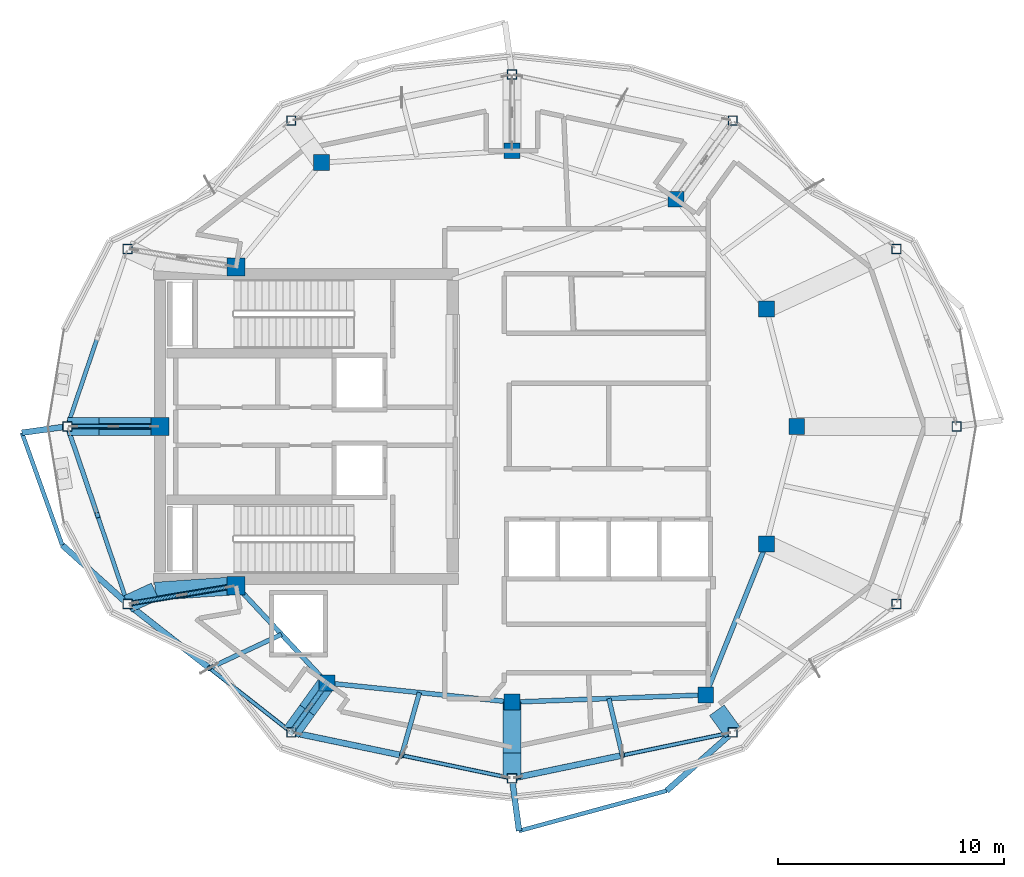
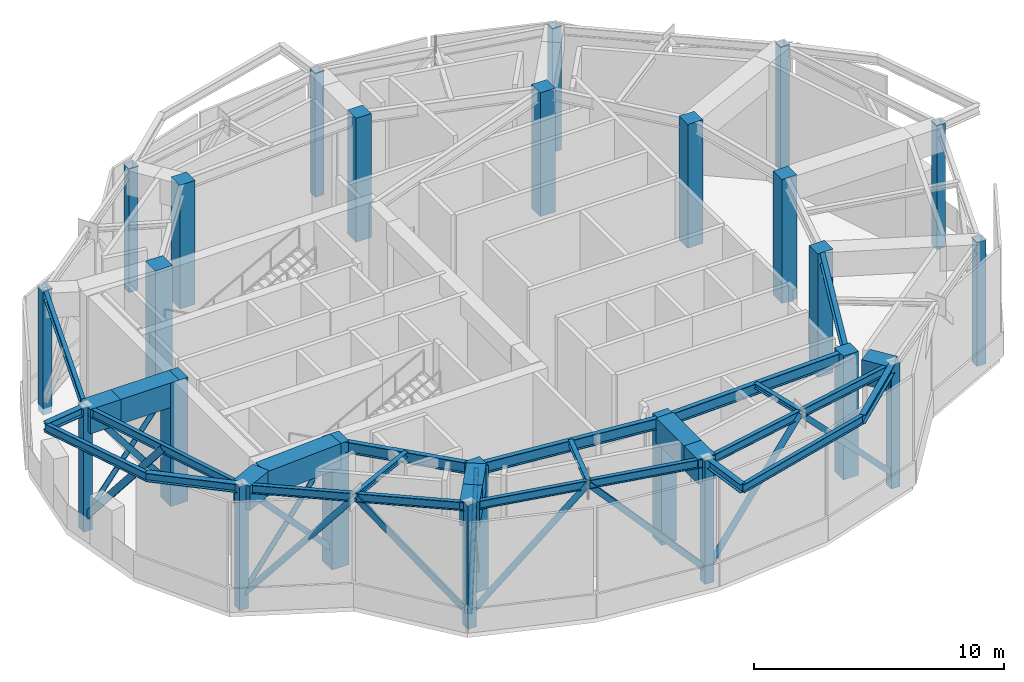
# One storey, part 1 of 9: 27 beams, 24 columns, 16 members.
"""IFC4 building model written with IfcOpenShell, lengths in metres."""

from ifc_helpers import new_model, si_unit, direction, frame, origin, origin_2d, place, context, subcontext, project, spatial, rectangle, hollow_rectangle, hollow_circle, i_section, extrude, material, material_profile, profile_set, type_object, element, save


model = new_model("IFC4")

# Units and contexts
model_context = context("Model", 3, precision=1e-05, world=origin(), true_north=direction((0.0, 1.0)))
body_context = subcontext(model_context, "Body", "Model", "MODEL_VIEW")
ifc_project = project(units=[si_unit("LENGTHUNIT", "METRE"), si_unit("AREAUNIT", "SQUARE_METRE"), si_unit("VOLUMEUNIT", "CUBIC_METRE"), si_unit("PLANEANGLEUNIT", "RADIAN"), si_unit("MASSUNIT", "GRAM", prefix="KILO")], contexts=[model_context])

# Site, building, storey
site_placement = place(None, origin())
site = spatial("IfcSite", under=ifc_project, at=site_placement, CompositionType="ELEMENT")
building_placement = place(site_placement, origin())
building = spatial("IfcBuilding", under=site, at=building_placement, Name="Kolvaren Gate Tower and Convention Centre", CompositionType="ELEMENT")
storey_placement = place(building_placement, frame((0.0, 0.0, 275.60009765625)))
storey = spatial("IfcBuildingStorey", under=building, at=storey_placement, Name="L75", CompositionType="ELEMENT", Elevation=275.60009765625)

# Columns
ifc_material_1 = material(Name="Structural steel ASTM A500 Grade C 345 MPa", Category="steel")
ifc_material_profile_1 = material_profile(ifc_material_1, hollow_rectangle(XDim=0.406005859375, YDim=0.406005859375, WallThickness=0.015869140625, at=origin_2d()), Name="HSS406X406X15.9")
ifc_profile_set_1 = profile_set([ifc_material_profile_1], Name="Structural steel ASTM A500 Grade C 345 MPa")
column_type_1 = type_object("IfcColumnType", Name="STR-COL-HSS406", PredefinedType="COLUMN", material=ifc_profile_set_1)
for number, where, z_axis, x_axis, name in (
    (1, (49.80615234375, 27.0, -0.320068359375), (0.0, 0.0, 1.0), (1.0, 0.0, 0.0), "Tower L75 Perimeter Supercolumn TP-01"),
    (2, (47.1337890625, 34.856201171875, -0.320068359375), (0.0, 0.0, 1.0), (1.0, 0.0, 0.0), "Tower L75 Perimeter Supercolumn TP-02"),
    (3, (39.893310546875, 40.53515625, -0.320068359375), (0.0, 0.0, 1.0), (1.0, 0.0, 0.0), "Tower L75 Perimeter Supercolumn TP-03"),
    (4, (30.125, 42.574951171875, -0.320068359375), (0.0, 0.0, 1.0), (1.0, 0.0, 0.0), "Tower L75 Perimeter Supercolumn TP-04"),
    (5, (20.356689453125, 40.53515625, -0.320068359375), (0.0, 0.0, 1.0), (1.0, 0.0, 0.0), "Tower L75 Perimeter Supercolumn TP-05"),
    (6, (13.1162109375, 34.856201171875, -0.320068359375), (0.0, 0.0, 1.0), (1.0, 0.0, 0.0), "Tower L75 Perimeter Supercolumn TP-06"),
    (7, (10.44384765625, 27.0, -0.320068359375), (0.0, 0.0, 1.0), (1.0, 0.0, 0.0), "Tower L75 Perimeter Supercolumn TP-07"),
    (8, (13.1162109375, 19.143798828125, -0.320068359375), (0.0, 0.0, 1.0), (1.0, 0.0, 0.0), "Tower L75 Perimeter Supercolumn TP-08"),
    (9, (20.356689453125, 13.46484375, -0.320068359375), (0.0, 0.0, 1.0), (1.0, 0.0, 0.0), "Tower L75 Perimeter Supercolumn TP-09"),
    (10, (30.125, 11.425048828125, -0.320068359375), (0.0, 0.0, 1.0), (1.0, 0.0, 0.0), "Tower L75 Perimeter Supercolumn TP-10"),
    (11, (39.893310546875, 13.46484375, -0.320068359375), (0.0, 0.0, 1.0), (1.0, 0.0, 0.0), "Tower L75 Perimeter Supercolumn TP-11"),
    (12, (47.1337890625, 19.143798828125, -0.320068359375), (0.0, 0.0, 1.0), (1.0, 0.0, 0.0), "Tower L75 Perimeter Supercolumn TP-12"),
):
    element("IfcColumn", number, at=place(storey_placement, frame(where, z_axis=z_axis, x_axis=x_axis)), inside=storey, type_object=column_type_1, Name=name, PredefinedType="COLUMN", context=body_context, shape_type="SweptSolid", body=[
        extrude(hollow_rectangle(XDim=0.406005859375, YDim=0.406005859375, WallThickness=0.015869140625, at=origin_2d()), origin(), (0.0, 0.0, 1.0), 6.0400390625),
    ])
ifc_material_2 = material(Name="Concrete C50/60", Category="concrete")
ifc_material_profile_2 = material_profile(ifc_material_2, rectangle(XDim=0.699951171875, YDim=0.699951171875, at=origin_2d()), Name="RC-COL-700X700")
ifc_profile_set_2 = profile_set([ifc_material_profile_2], Name="Concrete C50/60")
column_type_2 = type_object("IfcColumnType", Name="STR-COL-RC700", PredefinedType="COLUMN", material=ifc_profile_set_2)
for number, where, z_axis, x_axis, name in (
    (13, (42.72509765625, 27.0, -0.320068359375), (0.0, 0.0, 1.0), (1.0, 0.0, 0.0), "Tower L75 Interior Column TI-01"),
    (14, (41.382080078125, 32.199462890625, -0.320068359375), (0.0, 0.0, 1.0), (1.0, 0.0, 0.0), "Tower L75 Interior Column TI-02"),
    (15, (37.381591796875, 37.054931640625, -0.320068359375), (0.0, 0.0, 1.0), (1.0, 0.0, 0.0), "Tower L75 Interior Column TI-03"),
    (16, (30.125, 39.199951171875, -0.320068359375), (0.0, 0.0, 1.0), (1.0, 0.0, 0.0), "Tower L75 Interior Column TI-04"),
    (17, (21.697998046875, 38.6767578125, -0.320068359375), (0.0, 0.0, 1.0), (1.0, 0.0, 0.0), "Tower L75 Interior Column TI-05"),
    (18, (21.93212890625, 15.647705078125, -0.320068359375), (0.0, 0.0, 1.0), (1.0, 0.0, 0.0), "Tower L75 Interior Column TI-06"),
    (19, (30.125, 14.800048828125, -0.320068359375), (0.0, 0.0, 1.0), (1.0, 0.0, 0.0), "Tower L75 Interior Column TI-07"),
    (20, (38.6982421875, 15.12060546875, -0.320068359375), (0.0, 0.0, 1.0), (1.0, 0.0, 0.0), "Tower L75 Interior Column TI-08"),
    (21, (41.382080078125, 21.800537109375, -0.320068359375), (0.0, 0.0, 1.0), (1.0, 0.0, 0.0), "Tower L75 Interior Column TI-09"),
):
    element("IfcColumn", number, at=place(storey_placement, frame(where, z_axis=z_axis, x_axis=x_axis)), inside=storey, type_object=column_type_2, Name=name, PredefinedType="COLUMN", context=body_context, shape_type="SweptSolid", body=[
        extrude(rectangle(XDim=0.699951171875, YDim=0.699951171875, at=origin_2d()), origin(), (0.0, 0.0, 1.0), 6.0400390625),
    ])
ifc_material_3 = material(Name="Concrete C60/75", Category="concrete")
ifc_material_profile_3 = material_profile(ifc_material_3, rectangle(XDim=0.800048828125, YDim=0.800048828125, at=origin_2d()), Name="RC-COL-800X800")
ifc_profile_set_3 = profile_set([ifc_material_profile_3], Name="Concrete C60/75")
column_type_3 = type_object("IfcColumnType", Name="STR-PIL-RC800", PredefinedType="PILASTER", material=ifc_profile_set_3)
for number, where, z_axis, x_axis, name in (
    (22, (17.9140625, 34.050048828125, -0.320068359375), (0.0, 0.0, 1.0), (1.0, 0.0, 0.0), "Tower L75 Core Boundary Pilaster TC-05"),
    (23, (14.550048828125, 27.0, -0.320068359375), (0.0, 0.0, 1.0), (1.0, 0.0, 0.0), "Tower L75 Core Boundary Pilaster TC-06"),
    (24, (17.9140625, 19.949951171875, -0.320068359375), (0.0, 0.0, 1.0), (1.0, 0.0, 0.0), "Tower L75 Core Boundary Pilaster TC-07"),
):
    element("IfcColumn", number, at=place(storey_placement, frame(where, z_axis=z_axis, x_axis=x_axis)), inside=storey, type_object=column_type_3, Name=name, PredefinedType="PILASTER", context=body_context, shape_type="SweptSolid", body=[
        extrude(rectangle(XDim=0.800048828125, YDim=0.800048828125, at=origin_2d()), origin(), (0.0, 0.0, 1.0), 6.0400390625),
    ])

# Beams
ifc_material_4 = material(Name="Structural steel ASTM A992 Grade 345 MPa", Category="steel")
ifc_material_profile_4 = material_profile(ifc_material_4, i_section(OverallWidth=0.260009765625, OverallDepth=0.419921875, WebThickness=0.013427734375, FlangeThickness=0.0224609375, at=origin_2d()), Name="W410X132")
ifc_profile_set_4 = profile_set([ifc_material_profile_4], Name="Structural steel ASTM A992 Grade 345 MPa")
beam_type_1 = type_object("IfcBeamType", Name="STR-BM-W410X132", PredefinedType="BEAM", material=ifc_profile_set_4)
beam_1_placement = place(storey_placement, frame((10.44384765625, 27.0, 5.510498046875), z_axis=(-0.99050321622, -0.137489558359, 0.0), x_axis=(0.137489558359, -0.99050321622, 0.0)))
element("IfcBeam", 25, at=beam_1_placement, inside=storey, type_object=beam_type_1, Name="Tower L76 Planted Balcony Outrigger Cantilever BC-3A", PredefinedType="BEAM", context=body_context, shape_type="SweptSolid", body=[
    extrude(i_section(OverallWidth=0.260009765625, OverallDepth=0.419921875, WebThickness=0.013427734375, FlangeThickness=0.0224609375, at=origin_2d()), origin(), (0.0, 0.0, 1.0), 2.026123046875),
])
beam_2_placement = place(storey_placement, frame((13.1162109375, 19.143798828125, 5.510498046875), z_axis=(-0.74313537495, 0.669141102084, 0.0), x_axis=(-0.669141102084, -0.74313537495, 0.0)))
element("IfcBeam", 26, at=beam_2_placement, inside=storey, type_object=beam_type_1, Name="Tower L76 Planted Balcony Outrigger Cantilever BC-3B", PredefinedType="BEAM", context=body_context, shape_type="SweptSolid", body=[
    extrude(i_section(OverallWidth=0.260009765625, OverallDepth=0.419921875, WebThickness=0.013427734375, FlangeThickness=0.0224609375, at=origin_2d()), origin(), (0.0, 0.0, 1.0), 3.89990234375),
])
beam_3_placement = place(storey_placement, frame((30.125, 11.425048828125, 5.510498046875), z_axis=(0.133111237229, -0.991101104088, 0.0), x_axis=(0.991101104088, 0.133111237229, 0.0)))
element("IfcBeam", 27, at=beam_3_placement, inside=storey, type_object=beam_type_1, Name="Tower L76 Planted Balcony Outrigger Cantilever BC-4A", PredefinedType="BEAM", context=body_context, shape_type="SweptSolid", body=[
    extrude(i_section(OverallWidth=0.260009765625, OverallDepth=0.419921875, WebThickness=0.013427734375, FlangeThickness=0.0224609375, at=origin_2d()), origin(), (0.0, 0.0, 1.0), 2.345947265625),
])
beam_4_placement = place(storey_placement, frame((39.893310546875, 13.46484375, 5.510498046875), z_axis=(-0.748802968769, -0.662792662876, 0.0), x_axis=(0.662792662876, -0.748802968769, 0.0)))
element("IfcBeam", 28, at=beam_4_placement, inside=storey, type_object=beam_type_1, Name="Tower L76 Planted Balcony Outrigger Cantilever BC-4B", PredefinedType="BEAM", context=body_context, shape_type="SweptSolid", body=[
    extrude(i_section(OverallWidth=0.260009765625, OverallDepth=0.419921875, WebThickness=0.013427734375, FlangeThickness=0.0224609375, at=origin_2d()), origin(), (0.0, 0.0, 1.0), 3.900146484375),
])
ifc_material_profile_5 = material_profile(ifc_material_4, i_section(OverallWidth=0.2119140625, OverallDepth=0.5439453125, WebThickness=0.01318359375, FlangeThickness=0.021240234375, at=origin_2d()), Name="W530X123")
ifc_profile_set_5 = profile_set([ifc_material_profile_5], Name="Structural steel ASTM A992 Grade 345 MPa")
beam_type_2 = type_object("IfcBeamType", Name="STR-BM-W530X123", PredefinedType="BEAM", material=ifc_profile_set_5)
beam_5_placement = place(storey_placement, frame((17.9140625, 19.949951171875, 5.447998046875), z_axis=(0.682557592987, -0.730831808459, 0.0), x_axis=(0.730831808459, 0.682557592987, 0.0)))
element("IfcBeam", 29, at=beam_5_placement, inside=storey, type_object=beam_type_2, Name="Tower L75 Primary Ring Girder G-06", PredefinedType="BEAM", context=body_context, shape_type="SweptSolid", body=[
    extrude(i_section(OverallWidth=0.2119140625, OverallDepth=0.5439453125, WebThickness=0.01318359375, FlangeThickness=0.021240234375, at=origin_2d()), origin(), (0.0, 0.0, 1.0), 5.88671875),
])
beam_6_placement = place(storey_placement, frame((21.93212890625, 15.647705078125, 5.447998046875), z_axis=(0.994690329115, -0.102913308978, 0.0), x_axis=(0.102913308978, 0.994690329115, 0.0)))
element("IfcBeam", 30, at=beam_6_placement, inside=storey, type_object=beam_type_2, Name="Tower L75 Primary Ring Girder G-07", PredefinedType="BEAM", context=body_context, shape_type="SweptSolid", body=[
    extrude(i_section(OverallWidth=0.2119140625, OverallDepth=0.5439453125, WebThickness=0.01318359375, FlangeThickness=0.021240234375, at=origin_2d()), origin(), (0.0, 0.0, 1.0), 8.236572265625),
])
beam_7_placement = place(storey_placement, frame((30.125, 14.800048828125, 5.447998046875), z_axis=(0.999301712453, 0.037364254142, 0.0), x_axis=(-0.037364254142, 0.999301712453, 0.0)))
element("IfcBeam", 31, at=beam_7_placement, inside=storey, type_object=beam_type_2, Name="Tower L75 Primary Ring Girder G-08", PredefinedType="BEAM", context=body_context, shape_type="SweptSolid", body=[
    extrude(i_section(OverallWidth=0.2119140625, OverallDepth=0.5439453125, WebThickness=0.01318359375, FlangeThickness=0.021240234375, at=origin_2d()), origin(), (0.0, 0.0, 1.0), 8.579345703125),
])
beam_8_placement = place(storey_placement, frame((38.6982421875, 15.12060546875, 5.447998046875), z_axis=(0.372811100169, 0.927907260232, 0.0), x_axis=(-0.927907260232, 0.372811100169, 0.0)))
element("IfcBeam", 32, at=beam_8_placement, inside=storey, type_object=beam_type_2, Name="Tower L75 Primary Ring Girder G-09", PredefinedType="BEAM", context=body_context, shape_type="SweptSolid", body=[
    extrude(i_section(OverallWidth=0.2119140625, OverallDepth=0.5439453125, WebThickness=0.01318359375, FlangeThickness=0.021240234375, at=origin_2d()), origin(), (0.0, 0.0, 1.0), 7.198974609375),
])

# Members
ifc_material_profile_6 = material_profile(ifc_material_1, hollow_circle(Radius=0.136474609375, WallThickness=0.0126953125, at=origin_2d()), Name="CHS273X12.7")
ifc_profile_set_6 = profile_set([ifc_material_profile_6], Name="Structural steel ASTM A500 Grade C 345 MPa")
member_type_1 = type_object("IfcMemberType", Name="STR-BR-CHS273", PredefinedType="BRACE", material=ifc_profile_set_6)
member_1_placement = place(storey_placement, frame((13.1162109375, 19.143798828125, 0.25), z_axis=(0.517969593564, -0.406265044355, 0.752765709818), x_axis=(0.617153462445, 0.786842807549, 0.0)))
element("IfcMember", 33, at=member_1_placement, inside=storey, type_object=member_type_1, Name="Perimeter Belt Truss Diagonal BT-L75-08A", PredefinedType="BRACE", context=body_context, shape_type="SweptSolid", body=[
    extrude(hollow_circle(Radius=0.136474609375, WallThickness=0.0126953125, at=origin_2d()), origin(), (0.0, 0.0, 1.0), 6.989501953125),
])
member_2_placement = place(storey_placement, frame((20.356689453125, 13.46484375, 0.25), z_axis=(0.673583098972, -0.140669308583, 0.725601787761), x_axis=(0.204427078939, 0.978881795416, 0.0)))
element("IfcMember", 34, at=member_2_placement, inside=storey, type_object=member_type_1, Name="Perimeter Belt Truss Diagonal BT-L75-09A", PredefinedType="BRACE", context=body_context, shape_type="SweptSolid", body=[
    extrude(hollow_circle(Radius=0.136474609375, WallThickness=0.0126953125, at=origin_2d()), origin(), (0.0, 0.0, 1.0), 7.251220703125),
])
member_3_placement = place(storey_placement, frame((30.125, 11.425048828125, 0.25), z_axis=(0.673567895344, 0.140639495069, 0.725621680208), x_axis=(-0.204389983276, 0.978889541642, 0.0)))
element("IfcMember", 35, at=member_3_placement, inside=storey, type_object=member_type_1, Name="Perimeter Belt Truss Diagonal BT-L75-10A", PredefinedType="BRACE", context=body_context, shape_type="SweptSolid", body=[
    extrude(hollow_circle(Radius=0.136474609375, WallThickness=0.0126953125, at=origin_2d()), origin(), (0.0, 0.0, 1.0), 7.2509765625),
])
ifc_material_profile_7 = material_profile(ifc_material_1, hollow_rectangle(XDim=0.152099609375, YDim=0.25390625, WallThickness=0.009521484375, at=origin_2d()), Name="HSS254X152X9.5")
ifc_profile_set_7 = profile_set([ifc_material_profile_7], Name="Structural steel ASTM A500 Grade C 345 MPa")
member_type_2 = type_object("IfcMemberType", Name="STR-BR-HSS254X152", PredefinedType="BRACE", material=ifc_profile_set_7)
member_4_placement = place(storey_placement, frame((20.356689453125, 13.46484375, 0.25), z_axis=(-0.517951384753, 0.406243229342, 0.752790011654), x_axis=(-0.617146377238, -0.78684836472, 0.0)))
element("IfcMember", 36, at=member_4_placement, inside=storey, type_object=member_type_2, Name="Perimeter Belt Truss Diagonal BT-L75-08B", PredefinedType="BRACE", context=body_context, shape_type="SweptSolid", body=[
    extrude(hollow_rectangle(XDim=0.152099609375, YDim=0.25390625, WallThickness=0.009521484375, at=origin_2d()), origin(), (0.0, 0.0, 1.0), 6.9892578125),
])
member_5_placement = place(storey_placement, frame((30.125, 11.425048828125, 0.25), z_axis=(-0.673567895344, 0.140639495069, 0.725621680208), x_axis=(-0.204389983276, -0.978889541642, 0.0)))
element("IfcMember", 37, at=member_5_placement, inside=storey, type_object=member_type_2, Name="Perimeter Belt Truss Diagonal BT-L75-09B", PredefinedType="BRACE", context=body_context, shape_type="SweptSolid", body=[
    extrude(hollow_rectangle(XDim=0.152099609375, YDim=0.25390625, WallThickness=0.009521484375, at=origin_2d()), origin(), (0.0, 0.0, 1.0), 7.2509765625),
])
member_6_placement = place(storey_placement, frame((39.893310546875, 13.46484375, 0.25), z_axis=(-0.673583098972, -0.140669308583, 0.725601787761), x_axis=(0.204427078939, -0.978881795416, 0.0)))
element("IfcMember", 38, at=member_6_placement, inside=storey, type_object=member_type_2, Name="Perimeter Belt Truss Diagonal BT-L75-10B", PredefinedType="BRACE", context=body_context, shape_type="SweptSolid", body=[
    extrude(hollow_rectangle(XDim=0.152099609375, YDim=0.25390625, WallThickness=0.009521484375, at=origin_2d()), origin(), (0.0, 0.0, 1.0), 7.251220703125),
])
ifc_material_profile_8 = material_profile(ifc_material_1, hollow_rectangle(XDim=0.25390625, YDim=0.25390625, WallThickness=0.015869140625, at=origin_2d()), Name="HSS254X254X15.9")
ifc_profile_set_8 = profile_set([ifc_material_profile_8], Name="Structural steel ASTM A500 Grade C 345 MPa")
member_type_3 = type_object("IfcMemberType", Name="STR-BR-HSS254X254", PredefinedType="BRACE", material=ifc_profile_set_8)
member_7_placement = place(storey_placement, frame((14.550048828125, 27.0, 0.25), z_axis=(-0.615241469151, 0.0, 0.788338718215), x_axis=(0.0, -1.0, 0.0)))
element("IfcMember", 39, at=member_7_placement, inside=storey, type_object=member_type_3, Name="Outrigger Truss Diagonal OT-L75-02A", PredefinedType="BRACE", context=body_context, shape_type="SweptSolid", body=[
    extrude(hollow_rectangle(XDim=0.25390625, YDim=0.25390625, WallThickness=0.015869140625, at=origin_2d()), origin(), (0.0, 0.0, 1.0), 6.674072265625),
])
member_8_placement = place(storey_placement, frame((17.9140625, 19.949951171875, 0.25), z_axis=(-0.669524594316, -0.112495939875, 0.734221683906), x_axis=(0.165700862749, -0.986176061403, 0.0)))
element("IfcMember", 40, at=member_8_placement, inside=storey, type_object=member_type_3, Name="Outrigger Truss Diagonal OT-L75-03A", PredefinedType="BRACE", context=body_context, shape_type="SweptSolid", body=[
    extrude(hollow_rectangle(XDim=0.25390625, YDim=0.25390625, WallThickness=0.015869140625, at=origin_2d()), origin(), (0.0, 0.0, 1.0), 7.166015625),
])
member_9_placement = place(storey_placement, frame((21.93212890625, 15.647705078125, 0.25), z_axis=(-0.266564538402, -0.369340390183, 0.890242114846), x_axis=(0.810868110421, -0.585228935975, 0.0)))
element("IfcMember", 41, at=member_9_placement, inside=storey, type_object=member_type_3, Name="Outrigger Truss Diagonal OT-L75-06A", PredefinedType="BRACE", context=body_context, shape_type="SweptSolid", body=[
    extrude(hollow_rectangle(XDim=0.25390625, YDim=0.25390625, WallThickness=0.015869140625, at=origin_2d()), origin(), (0.0, 0.0, 1.0), 5.91015625),
])

# Beams
ifc_material_profile_9 = material_profile(ifc_material_4, i_section(OverallWidth=0.202880859375, OverallDepth=0.251953125, WebThickness=0.008056640625, FlangeThickness=0.013427734375, at=origin_2d()), Name="W250X58")
ifc_profile_set_9 = profile_set([ifc_material_profile_9], Name="Structural steel ASTM A992 Grade 345 MPa")
beam_type_3 = type_object("IfcBeamType", Name="STR-JS-W250X58", PredefinedType="JOIST", material=ifc_profile_set_9)
beam_9_placement = place(storey_placement, frame((19.923095703125, 17.798828125, 5.593994140625), z_axis=(-0.90535561097, -0.424654233095, 0.0), x_axis=(0.424654233095, -0.90535561097, 0.0)))
element("IfcBeam", 42, at=beam_9_placement, inside=storey, type_object=beam_type_3, Name="Tower L75 Secondary Composite Floor Joist J-08.1", PredefinedType="JOIST", context=body_context, shape_type="SweptSolid", body=[
    extrude(i_section(OverallWidth=0.202880859375, OverallDepth=0.251953125, WebThickness=0.008056640625, FlangeThickness=0.013427734375, at=origin_2d()), origin(), (0.0, 0.0, 1.0), 3.51953125),
])
beam_10_placement = place(storey_placement, frame((26.028564453125, 15.223876953125, 5.593994140625), z_axis=(-0.272666468309, -0.962108620198, 0.0), x_axis=(0.962108620198, -0.272666468309, 0.0)))
element("IfcBeam", 43, at=beam_10_placement, inside=storey, type_object=beam_type_3, Name="Tower L75 Secondary Composite Floor Joist J-09.1", PredefinedType="JOIST", context=body_context, shape_type="SweptSolid", body=[
    extrude(i_section(OverallWidth=0.202880859375, OverallDepth=0.251953125, WebThickness=0.008056640625, FlangeThickness=0.013427734375, at=origin_2d()), origin(), (0.0, 0.0, 1.0), 2.888427734375),
])
beam_11_placement = place(storey_placement, frame((34.41162109375, 14.960205078125, 5.593994140625), z_axis=(0.231075782924, -0.972935754583, 0.0), x_axis=(0.972935754583, 0.231075782924, 0.0)))
element("IfcBeam", 44, at=beam_11_placement, inside=storey, type_object=beam_type_3, Name="Tower L75 Secondary Composite Floor Joist J-10.1", PredefinedType="JOIST", context=body_context, shape_type="SweptSolid", body=[
    extrude(i_section(OverallWidth=0.202880859375, OverallDepth=0.251953125, WebThickness=0.008056640625, FlangeThickness=0.013427734375, at=origin_2d()), origin(), (0.0, 0.0, 1.0), 2.58544921875),
])
ifc_material_profile_10 = material_profile(ifc_material_4, i_section(OverallWidth=0.180908203125, OverallDepth=0.4169921875, WebThickness=0.010986328125, FlangeThickness=0.018310546875, at=origin_2d()), Name="W410X85")
ifc_profile_set_10 = profile_set([ifc_material_profile_10], Name="Structural steel ASTM A992 Grade 345 MPa")
beam_type_4 = type_object("IfcBeamType", Name="STR-SP-W410X85", PredefinedType="SPANDREL", material=ifc_profile_set_10)
for number, where, z_axis, x_axis, name in (
    (45, (13.1162109375, 34.856201171875, 5.511474609375), (-0.322038282171, -0.946726647357, 0.0), (0.946726647357, -0.322038282171, 0.0), "Tower L75 Perimeter Spandrel Beam SP-06"),
    (46, (10.44384765625, 27.0, 5.511474609375), (0.322038282171, -0.946726647357, 0.0), (0.946726647357, 0.322038282171, 0.0), "Tower L75 Perimeter Spandrel Beam SP-07"),
):
    element("IfcBeam", number, at=place(storey_placement, frame(where, z_axis=z_axis, x_axis=x_axis)), inside=storey, type_object=beam_type_4, Name=name, PredefinedType="SPANDREL", context=body_context, shape_type="SweptSolid", body=[
        extrude(i_section(OverallWidth=0.180908203125, OverallDepth=0.4169921875, WebThickness=0.010986328125, FlangeThickness=0.018310546875, at=origin_2d()), origin(), (0.0, 0.0, 1.0), 8.29833984375),
    ])
beam_12_placement = place(storey_placement, frame((13.1162109375, 19.143798828125, 5.511474609375), z_axis=(0.786845586039, -0.61714991998, 0.0), x_axis=(0.61714991998, 0.786845586039, 0.0)))
element("IfcBeam", 47, at=beam_12_placement, inside=storey, type_object=beam_type_4, Name="Tower L75 Perimeter Spandrel Beam SP-08", PredefinedType="SPANDREL", context=body_context, shape_type="SweptSolid", body=[
    extrude(i_section(OverallWidth=0.180908203125, OverallDepth=0.4169921875, WebThickness=0.010986328125, FlangeThickness=0.018310546875, at=origin_2d()), origin(), (0.0, 0.0, 1.0), 9.201904296875),
])
for number, where, z_axis, x_axis, name in (
    (48, (20.356689453125, 13.46484375, 5.511474609375), (0.978885668593, -0.204408531681, 0.0), (0.204408531681, 0.978885668593, 0.0), "Tower L75 Perimeter Spandrel Beam SP-09"),
    (49, (30.125, 11.425048828125, 5.511474609375), (0.978885668593, 0.204408531681, 0.0), (-0.204408531681, 0.978885668593, 0.0), "Tower L75 Perimeter Spandrel Beam SP-10"),
):
    element("IfcBeam", number, at=place(storey_placement, frame(where, z_axis=z_axis, x_axis=x_axis)), inside=storey, type_object=beam_type_4, Name=name, PredefinedType="SPANDREL", context=body_context, shape_type="SweptSolid", body=[
        extrude(i_section(OverallWidth=0.180908203125, OverallDepth=0.4169921875, WebThickness=0.010986328125, FlangeThickness=0.018310546875, at=origin_2d()), origin(), (0.0, 0.0, 1.0), 9.97900390625),
    ])
beam_13_placement = place(storey_placement, frame((8.43701171875, 26.721435546875, 5.511962890625), z_axis=(0.337464389535, -0.941338295086, 0.0), x_axis=(0.941338295086, 0.337464389535, 0.0)))
element("IfcBeam", 50, at=beam_13_placement, inside=storey, type_object=beam_type_4, Name="Tower L76 Planted Balcony Header Tie Beam BT-3", PredefinedType="SPANDREL", context=body_context, shape_type="SweptSolid", body=[
    extrude(i_section(OverallWidth=0.180908203125, OverallDepth=0.4169921875, WebThickness=0.010986328125, FlangeThickness=0.018310546875, at=origin_2d()), origin(), (0.0, 0.0, 1.0), 5.277587890625),
])
beam_14_placement = place(storey_placement, frame((30.437255859375, 9.10009765625, 5.511962890625), z_axis=(0.964863562428, 0.262751414647, 0.0), x_axis=(-0.262751414647, 0.964863562428, 0.0)))
element("IfcBeam", 51, at=beam_14_placement, inside=storey, type_object=beam_type_4, Name="Tower L76 Planted Balcony Header Tie Beam BT-4", PredefinedType="SPANDREL", context=body_context, shape_type="SweptSolid", body=[
    extrude(i_section(OverallWidth=0.180908203125, OverallDepth=0.4169921875, WebThickness=0.010986328125, FlangeThickness=0.018310546875, at=origin_2d()), origin(), (0.0, 0.0, 1.0), 6.773681640625),
])

# Members
ifc_material_profile_11 = material_profile(ifc_material_1, hollow_circle(Radius=0.109619140625, WallThickness=0.0126953125, at=origin_2d()), Name="CHS219X12.7")
ifc_profile_set_11 = profile_set([ifc_material_profile_11], Name="Structural steel ASTM A500 Grade C 345 MPa")
member_type_4 = type_object("IfcMemberType", Name="STR-ST-CHS219", PredefinedType="STRUT", material=ifc_profile_set_11)
member_10_placement = place(storey_placement, frame((10.44384765625, 27.0, 0.25), z_axis=(0.615236477182, 0.0, 0.788342614061), x_axis=(0.0, 1.0, 0.0)))
element("IfcMember", 52, at=member_10_placement, inside=storey, type_object=member_type_4, Name="Outrigger Truss Lower Counter-Strut OT-L75-02BA", PredefinedType="STRUT", context=body_context, shape_type="SweptSolid", body=[
    extrude(hollow_circle(Radius=0.109619140625, WallThickness=0.0126953125, at=origin_2d()), origin(), (0.0, 0.0, 1.0), 3.3369140625),
])
member_11_placement = place(storey_placement, frame((12.496826171875, 27.0, 2.880615234375), z_axis=(0.615246460582, 0.0, 0.788334822738), x_axis=(0.0, 1.0, 0.0)))
element("IfcMember", 53, at=member_11_placement, inside=storey, type_object=member_type_4, Name="Outrigger Truss Upper Counter-Strut OT-L75-02BB", PredefinedType="STRUT", context=body_context, shape_type="SweptSolid", body=[
    extrude(hollow_circle(Radius=0.109619140625, WallThickness=0.0126953125, at=origin_2d()), origin(), (0.0, 0.0, 1.0), 3.337158203125),
])
for number, where, z_axis, x_axis, name in (
    (54, (13.1162109375, 19.143798828125, 0.25), (0.669541342192, 0.112498753914, 0.734205980269), (-0.165700862749, 0.986176061403, 0.0), "Outrigger Truss Lower Counter-Strut OT-L75-03BA"),
    (55, (15.51513671875, 19.546875, 2.880615234375), (0.66950784692, 0.112493125917, 0.734237386364), (-0.165700862749, 0.986176061403, 0.0), "Outrigger Truss Upper Counter-Strut OT-L75-03BB"),
):
    element("IfcMember", number, at=place(storey_placement, frame(where, z_axis=z_axis, x_axis=x_axis)), inside=storey, type_object=member_type_4, Name=name, PredefinedType="STRUT", context=body_context, shape_type="SweptSolid", body=[
        extrude(hollow_circle(Radius=0.109619140625, WallThickness=0.0126953125, at=origin_2d()), origin(), (0.0, 0.0, 1.0), 3.5830078125),
    ])
member_12_placement = place(storey_placement, frame((20.356689453125, 13.46484375, 0.25), z_axis=(0.266540033119, 0.369322364551, 0.89025693021), x_axis=(-0.810880087565, 0.5852123406, 0.0)))
element("IfcMember", 56, at=member_12_placement, inside=storey, type_object=member_type_4, Name="Outrigger Truss Lower Counter-Strut OT-L75-06BA", PredefinedType="STRUT", context=body_context, shape_type="SweptSolid", body=[
    extrude(hollow_circle(Radius=0.109619140625, WallThickness=0.0126953125, at=origin_2d()), origin(), (0.0, 0.0, 1.0), 2.954833984375),
])
member_13_placement = place(storey_placement, frame((21.144287109375, 14.55615234375, 2.880615234375), z_axis=(0.26658904029, 0.36935841312, 0.890227300331), x_axis=(-0.810856135971, 0.585245526902, 0.0)))
element("IfcMember", 57, at=member_13_placement, inside=storey, type_object=member_type_4, Name="Outrigger Truss Upper Counter-Strut OT-L75-06BB", PredefinedType="STRUT", context=body_context, shape_type="SweptSolid", body=[
    extrude(hollow_circle(Radius=0.109619140625, WallThickness=0.0126953125, at=origin_2d()), origin(), (0.0, 0.0, 1.0), 2.955322265625),
])
ifc_material_profile_12 = material_profile(ifc_material_1, hollow_rectangle(XDim=0.202880859375, YDim=0.304931640625, WallThickness=0.0126953125, at=origin_2d()), Name="HSS305X203X12.7")
ifc_profile_set_12 = profile_set([ifc_material_profile_12], Name="Structural steel ASTM A500 Grade C 345 MPa")
member_type_5 = type_object("IfcMemberType", Name="STR-ST-HSS305X203", PredefinedType="STRUT", material=ifc_profile_set_12)
member_14_placement = place(storey_placement, frame((10.44384765625, 27.0, 0.25), z_axis=(0.199413411908, -0.58621640493, 0.785229022478), x_axis=(0.946723596055, 0.322047252235, 0.0)))
element("IfcMember", 58, at=member_14_placement, inside=storey, type_object=member_type_5, Name="Turbine Slot Structural Portal Strut PS-07", PredefinedType="STRUT", context=body_context, shape_type="SweptSolid", body=[
    extrude(hollow_rectangle(XDim=0.202880859375, YDim=0.304931640625, WallThickness=0.0126953125, at=origin_2d()), origin(), (0.0, 0.0, 1.0), 6.700439453125),
])

# Beams
ifc_material_5 = material(Name="Concrete C70/85", Category="concrete")
ifc_material_profile_13 = material_profile(ifc_material_5, rectangle(XDim=0.800048828125, YDim=1.199951171875, at=origin_2d()), Name="RC-BM-800X1200")
ifc_profile_set_13 = profile_set([ifc_material_profile_13], Name="Concrete C70/85")
beam_type_5 = type_object("IfcBeamType", Name="STR-TG-RC800X1200", PredefinedType="USERDEFINED", material=ifc_profile_set_13)
beam_15_placement = place(storey_placement, frame((14.550048828125, 27.0, 5.120361328125), z_axis=(-1.0, 0.0, 0.0), x_axis=(0.0, -1.0, 0.0)))
element("IfcBeam", 59, at=beam_15_placement, inside=storey, type_object=beam_type_5, Name="Tower L75 Zone-Transition Radial Transfer Girder XFG-07A", ObjectType="TRANSFER GIRDER", PredefinedType="USERDEFINED", context=body_context, shape_type="SweptSolid", body=[
    extrude(rectangle(XDim=0.800048828125, YDim=1.199951171875, at=origin_2d()), origin(), (0.0, 0.0, 1.0), 2.699951171875),
])
beam_16_placement = place(storey_placement, frame((11.85009765625, 27.0, 5.120361328125), z_axis=(-1.0, 0.0, 0.0), x_axis=(0.0, -1.0, 0.0)))
element("IfcBeam", 60, at=beam_16_placement, inside=storey, type_object=beam_type_5, Name="Tower L75 Zone-Transition Radial Transfer Girder XFG-07B", ObjectType="TRANSFER GIRDER", PredefinedType="USERDEFINED", context=body_context, shape_type="SweptSolid", body=[
    extrude(rectangle(XDim=0.800048828125, YDim=1.199951171875, at=origin_2d()), origin(), (0.0, 0.0, 1.0), 1.40625),
])
beam_17_placement = place(storey_placement, frame((17.9140625, 19.949951171875, 5.120361328125), z_axis=(-0.997692080373, -0.067900756698, 0.0), x_axis=(0.067900756698, -0.997692080373, 0.0)))
element("IfcBeam", 61, at=beam_17_placement, inside=storey, type_object=beam_type_5, Name="Tower L75 Zone-Transition Radial Transfer Girder XFG-08A", ObjectType="TRANSFER GIRDER", PredefinedType="USERDEFINED", context=body_context, shape_type="SweptSolid", body=[
    extrude(rectangle(XDim=0.800048828125, YDim=1.199951171875, at=origin_2d()), origin(), (0.0, 0.0, 1.0), 3.58837890625),
])
beam_18_placement = place(storey_placement, frame((14.333984375, 19.706298828125, 5.120361328125), z_axis=(-0.907831496162, -0.41933515781, 0.0), x_axis=(0.41933515781, -0.907831496162, 0.0)))
element("IfcBeam", 62, at=beam_18_placement, inside=storey, type_object=beam_type_5, Name="Tower L75 Zone-Transition Radial Transfer Girder XFG-08B", ObjectType="TRANSFER GIRDER", PredefinedType="USERDEFINED", context=body_context, shape_type="SweptSolid", body=[
    extrude(rectangle(XDim=0.800048828125, YDim=1.199951171875, at=origin_2d()), origin(), (0.0, 0.0, 1.0), 1.34130859375),
])
beam_19_placement = place(storey_placement, frame((21.93212890625, 15.647705078125, 5.120361328125), z_axis=(-0.585275227651, -0.810834698257, 0.0), x_axis=(0.810834698257, -0.585275227651, 0.0)))
element("IfcBeam", 63, at=beam_19_placement, inside=storey, type_object=beam_type_5, Name="Tower L75 Zone-Transition Radial Transfer Girder XFG-09A", ObjectType="TRANSFER GIRDER", PredefinedType="USERDEFINED", context=body_context, shape_type="SweptSolid", body=[
    extrude(rectangle(XDim=0.800048828125, YDim=1.199951171875, at=origin_2d()), origin(), (0.0, 0.0, 1.0), 1.490478515625),
])
beam_20_placement = place(storey_placement, frame((21.059814453125, 14.439208984375, 5.120361328125), z_axis=(-0.58517151289, -0.810909551369, 0.0), x_axis=(0.810909551369, -0.58517151289, 0.0)))
element("IfcBeam", 64, at=beam_20_placement, inside=storey, type_object=beam_type_5, Name="Tower L75 Zone-Transition Radial Transfer Girder XFG-09B", ObjectType="TRANSFER GIRDER", PredefinedType="USERDEFINED", context=body_context, shape_type="SweptSolid", body=[
    extrude(rectangle(XDim=0.800048828125, YDim=1.199951171875, at=origin_2d()), origin(), (0.0, 0.0, 1.0), 1.20166015625),
])
beam_21_placement = place(storey_placement, frame((30.125, 14.800048828125, 5.120361328125), z_axis=(0.0, -1.0, 0.0), x_axis=(1.0, 0.0, 0.0)))
element("IfcBeam", 65, at=beam_21_placement, inside=storey, type_object=beam_type_5, Name="Tower L75 Zone-Transition Radial Transfer Girder XFG-10A", ObjectType="TRANSFER GIRDER", PredefinedType="USERDEFINED", context=body_context, shape_type="SweptSolid", body=[
    extrude(rectangle(XDim=0.800048828125, YDim=1.199951171875, at=origin_2d()), origin(), (0.0, 0.0, 1.0), 2.25),
])
beam_22_placement = place(storey_placement, frame((30.125, 12.550048828125, 5.120361328125), z_axis=(0.0, -1.0, 0.0), x_axis=(1.0, 0.0, 0.0)))
element("IfcBeam", 66, at=beam_22_placement, inside=storey, type_object=beam_type_5, Name="Tower L75 Zone-Transition Radial Transfer Girder XFG-10B", ObjectType="TRANSFER GIRDER", PredefinedType="USERDEFINED", context=body_context, shape_type="SweptSolid", body=[
    extrude(rectangle(XDim=0.800048828125, YDim=1.199951171875, at=origin_2d()), origin(), (0.0, 0.0, 1.0), 1.125),
])
beam_23_placement = place(storey_placement, frame((39.190185546875, 14.439208984375, 5.120361328125), z_axis=(0.58517151289, -0.810909551369, 0.0), x_axis=(0.810909551369, 0.58517151289, 0.0)))
element("IfcBeam", 67, at=beam_23_placement, inside=storey, type_object=beam_type_5, Name="Tower L75 Zone-Transition Radial Transfer Girder XFG-11B", ObjectType="TRANSFER GIRDER", PredefinedType="USERDEFINED", context=body_context, shape_type="SweptSolid", body=[
    extrude(rectangle(XDim=0.800048828125, YDim=1.199951171875, at=origin_2d()), origin(), (0.0, 0.0, 1.0), 1.20166015625),
])

save(model, "model.ifc")
